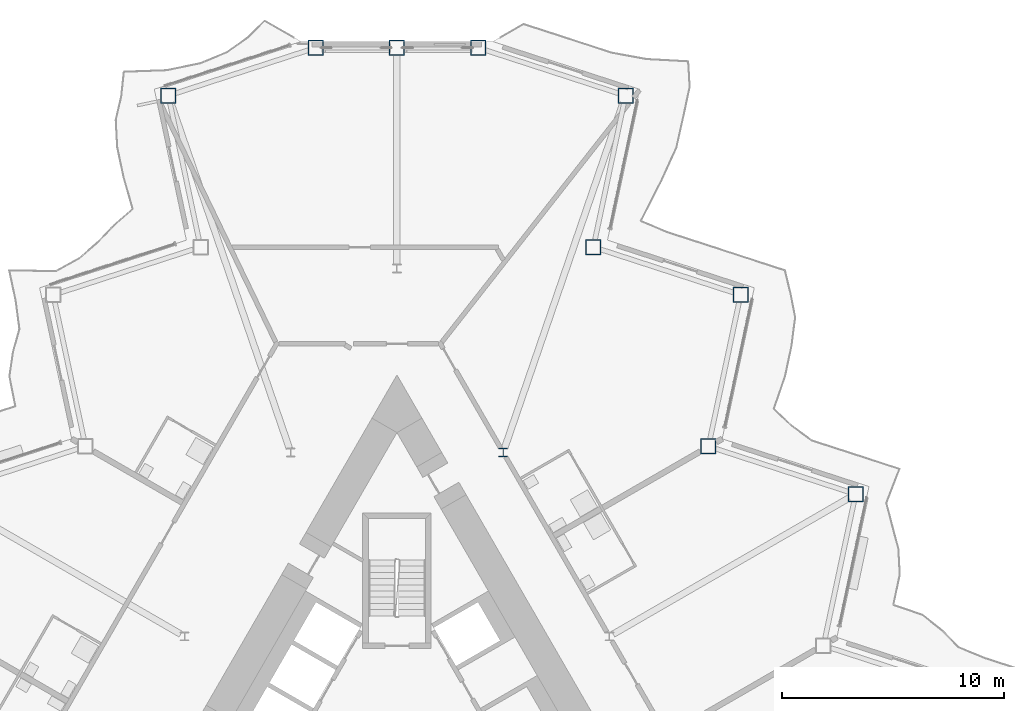
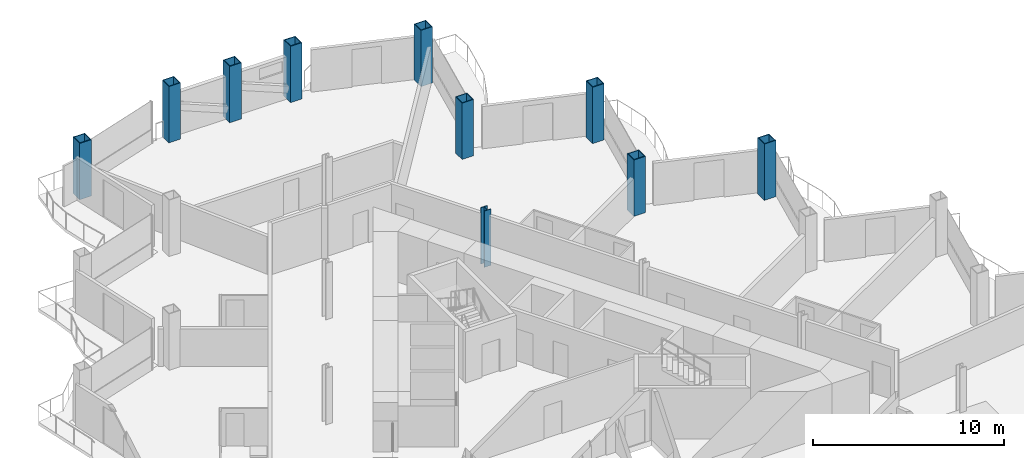
# One storey, part 3 of 24: 10 columns.
"""IFC4 building model written with IfcOpenShell, lengths in metres."""

from ifc_helpers import new_model, si_unit, direction, frame, origin, origin_2d, place, context, subcontext, project, spatial, hollow_rectangle, i_section, extrude, material, material_profile, profile_set, type_object, element, save


model = new_model("IFC4")

# Units and contexts
model_context = context("Model", 3, precision=1e-05, world=origin(), true_north=direction((0.0, 1.0)))
body_context = subcontext(model_context, "Body", "Model", "MODEL_VIEW")
ifc_project = project(units=[si_unit("LENGTHUNIT", "METRE"), si_unit("AREAUNIT", "SQUARE_METRE"), si_unit("VOLUMEUNIT", "CUBIC_METRE"), si_unit("PLANEANGLEUNIT", "RADIAN"), si_unit("MASSUNIT", "GRAM", prefix="KILO")], contexts=[model_context])

# Site, building, storey
site_placement = place(None, origin())
site = spatial("IfcSite", under=ifc_project, at=site_placement, CompositionType="ELEMENT")
building_placement = place(site_placement, origin())
building = spatial("IfcBuilding", under=site, at=building_placement, Name="Cormorant Prow Tower", CompositionType="ELEMENT")
storey_placement = place(building_placement, frame((0.0, 0.0, 238.199951171875)))
storey = spatial("IfcBuildingStorey", under=building, at=storey_placement, Name="L52", CompositionType="ELEMENT", Elevation=238.199951171875)

# Columns
ifc_material_1 = material(Name="Structural steel ASTM A572 Gr 50", Category="steel")
ifc_material_profile_1 = material_profile(ifc_material_1, hollow_rectangle(XDim=0.699951171875, YDim=0.699951171875, WallThickness=0.044921875, at=origin_2d()), Name="Box 700x700x45")
ifc_profile_set_1 = profile_set([ifc_material_profile_1], Name="Structural steel ASTM A572 Gr 50")
column_type_1 = type_object("IfcColumnType", Name="Perimeter box column 700x700x45", PredefinedType="COLUMN", material=ifc_profile_set_1)
for number, where, z_axis, x_axis, name in (
    (1, (20.686767578125, 11.943359375, 0.0), (0.0, 0.0, 1.0), (1.0, 0.0, 0.0), "Perimeter column C5 at ENE05 L52"),
    (2, (14.046875, 14.100830078125, 0.0), (0.0, 0.0, 1.0), (1.0, 0.0, 0.0), "Perimeter column C5 at ENE06 L52"),
    (3, (15.49853515625, 20.9296875, 0.0), (0.0, 0.0, 1.0), (1.0, 0.0, 0.0), "Perimeter column C5 at ENE07 L52"),
    (4, (8.858642578125, 23.087158203125, 0.0), (0.0, 0.0, 1.0), (1.0, 0.0, 0.0), "Perimeter column C5 at ENE08 L52"),
    (5, (10.310302734375, 29.916015625, 0.0), (0.0, 0.0, 1.0), (1.0, 0.0, 0.0), "Perimeter column C5 at ENE09 L52"),
    (6, (3.67041015625, 32.073486328125, 0.0), (0.0, 0.0, 1.0), (1.0, 0.0, 0.0), "Perimeter column C5 at N00 L52"),
    (7, (0.0, 32.073486328125, 0.0), (0.0, 0.0, 1.0), (1.0, 0.0, 0.0), "Perimeter column C5 at N01 L52"),
    (8, (-3.67041015625, 32.073486328125, 0.0), (0.0, 0.0, 1.0), (1.0, 0.0, 0.0), "Perimeter column C5 at WNW00 L52"),
    (9, (-10.310302734375, 29.916015625, 0.0), (0.0, 0.0, 1.0), (1.0, 0.0, 0.0), "Perimeter column C5 at WNW01 L52"),
):
    element("IfcColumn", number, at=place(storey_placement, frame(where, z_axis=z_axis, x_axis=x_axis)), inside=storey, type_object=column_type_1, Name=name, PredefinedType="COLUMN", context=body_context, shape_type="SweptSolid", body=[
        extrude(hollow_rectangle(XDim=0.699951171875, YDim=0.699951171875, WallThickness=0.044921875, at=origin_2d()), origin(), (0.0, 0.0, 1.0), 3.60009765625),
    ])
ifc_material_2 = material(Name="Structural steel ASTM A992 Gr 50", Category="steel")
ifc_material_profile_2 = material_profile(ifc_material_2, i_section(OverallWidth=0.39892578125, OverallDepth=0.393310546875, WebThickness=0.022705078125, FlangeThickness=0.03662109375, at=origin_2d()), Name="W14x193")
ifc_profile_set_2 = profile_set([ifc_material_profile_2], Name="Structural steel ASTM A992 Gr 50")
column_type_2 = type_object("IfcColumnType", Name="Ring column W14x193", PredefinedType="COLUMN", material=ifc_profile_set_2)
column_placement = place(storey_placement, frame((4.789306640625, 13.8251953125, 0.0), z_axis=(0.0, 0.0, 1.0), x_axis=(1.0, 0.0, 0.0)))
element("IfcColumn", 10, at=column_placement, inside=storey, type_object=column_type_2, Name="Ring column 12 L52", PredefinedType="COLUMN", context=body_context, shape_type="SweptSolid", body=[
    extrude(i_section(OverallWidth=0.39892578125, OverallDepth=0.393310546875, WebThickness=0.022705078125, FlangeThickness=0.03662109375, at=origin_2d()), origin(), (0.0, 0.0, 1.0), 3.60009765625),
])

save(model, "model.ifc")
